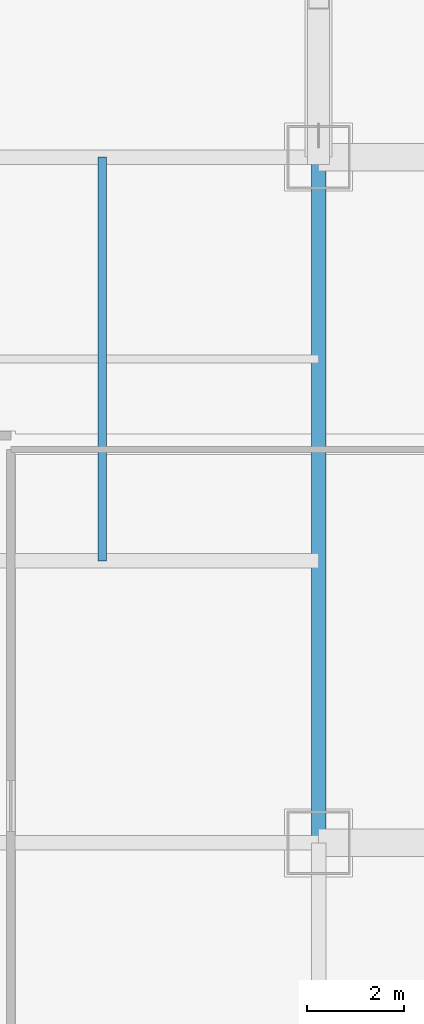
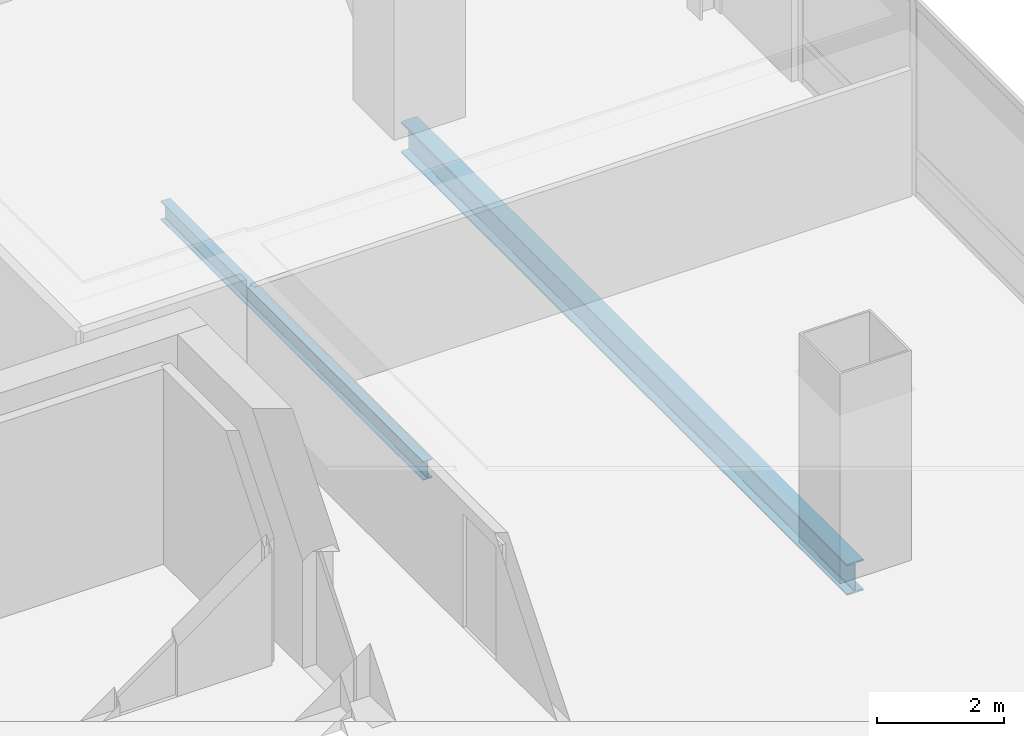
# One storey, part 21 of 51: 2 beams.
"""IFC4 building model written with IfcOpenShell, lengths in metres."""

import ifcopenshell
import ifcopenshell.guid

model = None  # the IFC model being written
_history = None  # IfcOwnerHistory: only IFC2X3 demands one
_inside = {}  # id of a spatial element -> (the spatial element, [elements in it])
_under = {}  # id of a project, library or spatial element -> (it, [spatial elements below it])
_declared = {}  # id of a project -> (the project, [libraries it declares])
_typed = {}  # id of a type object -> (the type object, [elements of that type])
_made_of = {}  # id of a material, layer set ... -> (it, [elements and type objects made of it])


def new_model(schema):
    """Start an empty IFC model of exactly this schema.

    Asked for "IFC4X3", IfcOpenShell would pick the latest addendum, in which some entities
    have other attributes; the version numbers below select the first issue.
    IFC2X3 requires an IfcOwnerHistory on every rooted entity: one is made here for all.
    """
    global model, _history
    if schema == "IFC4X3":
        model = ifcopenshell.file(schema_version=(4, 3, 0, 0))
    else:
        model = ifcopenshell.file(schema=schema)
    _inside.clear()
    _under.clear()
    _declared.clear()
    _typed.clear()
    _made_of.clear()
    _history = None
    if model.schema == "IFC2X3":
        org = make("IfcOrganization", Name="unknown")
        user = make(
            "IfcPersonAndOrganization",
            ThePerson=make("IfcPerson", FamilyName="unknown"),
            TheOrganization=org,
        )
        app = make(
            "IfcApplication",
            ApplicationDeveloper=org,
            Version="unknown",
            ApplicationFullName="unknown",
            ApplicationIdentifier="unknown",
        )
        _history = make(
            "IfcOwnerHistory",
            OwningUser=user,
            OwningApplication=app,
            ChangeAction="ADDED",
            CreationDate=0,
        )
    return model


def make(cls, **values):
    """One entity of the class cls with the attributes given. An attribute that is None is left unset."""
    return model.create_entity(
        cls, **{name: value for name, value in values.items() if value is not None}
    )


def rooted(cls, **values):
    """An entity with a GlobalId (a new one), such as an element, a storey or a relation."""
    return make(cls, GlobalId=ifcopenshell.guid.new(), OwnerHistory=_history, **values)


def si_unit(unit_type, name, prefix=None):
    """IfcSIUnit, for example si_unit("LENGTHUNIT", "METRE", prefix="MILLI")."""
    return make("IfcSIUnit", UnitType=unit_type, Prefix=prefix, Name=name)


def assignment(units):
    """IfcUnitAssignment: the units of a project."""
    return None if units is None else make("IfcUnitAssignment", Units=units)


def point(xyz):
    """IfcCartesianPoint."""
    return None if xyz is None else make("IfcCartesianPoint", Coordinates=xyz)


def direction(xyz):
    """IfcDirection."""
    return None if xyz is None else make("IfcDirection", DirectionRatios=xyz)


def frame(location, z_axis=None, x_axis=None):
    """IfcAxis2Placement3D, a coordinate frame: its origin and axes. An axis left out is left unset."""
    return make(
        "IfcAxis2Placement3D",
        Location=point(location),
        Axis=direction(z_axis),
        RefDirection=direction(x_axis),
    )


def frame_2d(location, x_axis=None):
    """IfcAxis2Placement2D, a coordinate frame in the plane: its origin and x axis."""
    return make(
        "IfcAxis2Placement2D", Location=point(location), RefDirection=direction(x_axis)
    )


def origin():
    """The frame at (0, 0, 0) with its axes left unset."""
    return frame((0.0, 0.0, 0.0))


def origin_2d():
    """The frame at (0, 0) in the plane with its x axis left unset."""
    return frame_2d((0.0, 0.0))


def place(relative_to, where):
    """IfcLocalPlacement: puts the frame where relative to a parent placement (None: the world)."""
    return make(
        "IfcLocalPlacement", PlacementRelTo=relative_to, RelativePlacement=where
    )


def context(
    kind, dimensions, precision=None, world=None, true_north=None, identifier=None
):
    """IfcGeometricRepresentationContext, for example the 3D "Model" context."""
    return make(
        "IfcGeometricRepresentationContext",
        ContextIdentifier=identifier,
        ContextType=kind,
        CoordinateSpaceDimension=dimensions,
        Precision=precision,
        WorldCoordinateSystem=world,
        TrueNorth=true_north,
    )


def subcontext(parent, identifier, kind, view, scale=None):
    """IfcGeometricRepresentationSubContext, for example "Body" below "Model"."""
    return make(
        "IfcGeometricRepresentationSubContext",
        ContextIdentifier=identifier,
        ContextType=kind,
        ParentContext=parent,
        TargetScale=scale,
        TargetView=view,
    )


def project(units=None, contexts=None):
    """IfcProject with its units and contexts."""
    return rooted(
        "IfcProject",
        Name="project",
        RepresentationContexts=contexts,
        UnitsInContext=assignment(units),
    )


def spatial(cls, under=None, at=None, **own):
    """A site, building, storey or space (cls), placed at a placement, below another one or the project."""
    s = rooted(cls, ObjectPlacement=at, **own)
    if under is not None:
        _under.setdefault(under.id(), (under, []))[1].append(s)
    return s


def profile(cls, at=None, kind="AREA", **sizes):
    """A parametric profile (cls). Its sizes go by their IFC names, for example OverallWidth=200.0."""
    return make(cls, ProfileType=kind, Position=at, **sizes)


def i_section(**sizes):
    """IfcIShapeProfileDef."""
    return profile("IfcIShapeProfileDef", **sizes)


def extrude(swept, where, along, depth):
    """IfcExtrudedAreaSolid: the profile swept, set in the frame where, extruded along a direction by depth."""
    return make(
        "IfcExtrudedAreaSolid",
        SweptArea=swept,
        Position=where,
        ExtrudedDirection=direction(along),
        Depth=depth,
    )


def shape(context_of_items, identifier, shape_type, items):
    """IfcShapeRepresentation: the items that make up one representation, for example the "Body"."""
    return make(
        "IfcShapeRepresentation",
        ContextOfItems=context_of_items,
        RepresentationIdentifier=identifier,
        RepresentationType=shape_type,
        Items=items,
    )


def material(Name=None, Category=None):
    """IfcMaterial."""
    return make("IfcMaterial", Name=Name, Category=Category)


def material_profile(
    of_material, cross_section, Name=None, Category=None, Priority=None
):
    """IfcMaterialProfile: a cross section and its material."""
    return make(
        "IfcMaterialProfile",
        Name=Name,
        Material=of_material,
        Profile=cross_section,
        Priority=Priority,
        Category=Category,
    )


def profile_set(profiles, Name=None, composite=None):
    """IfcMaterialProfileSet."""
    return make(
        "IfcMaterialProfileSet",
        Name=Name,
        MaterialProfiles=profiles,
        CompositeProfile=composite,
    )


def made_of(thing, what):
    """Note that an element or type object is made of a material, layer set ...; save() writes the relation."""
    if what is not None:
        _made_of.setdefault(what.id(), (what, []))[1].append(thing)
    return thing


def type_object(cls, material=None, **own):
    """A type object (cls), such as IfcWallType, which elements share."""
    return made_of(rooted(cls, **own), material)


def element(
    cls,
    number,
    at=None,
    inside=None,
    cuts=None,
    type_object=None,
    material=None,
    context=None,
    identifier="Body",
    shape_type=None,
    held_by="IfcProductDefinitionShape",
    body=None,
    shapes=None,
    **own,
):
    """One element of the class cls, such as IfcWall. Its Tag is "e" and its number.

    at: its placement. inside: the storey or other place that contains it. cuts: it is an
    opening in that element (IfcRelVoidsElement). A single representation is given by context,
    identifier, shape_type and body (its items); several are given by shapes. held_by: the class
    of the entity that holds the representations. save() writes the other relations.
    """
    e = rooted(cls, Tag="e%d" % number, ObjectPlacement=at, **own)
    if body is not None:
        shapes = [shape(context, identifier, shape_type, body)]
    if shapes is not None:
        e.Representation = make(held_by, Representations=shapes)
    if inside is not None:
        _inside.setdefault(inside.id(), (inside, []))[1].append(e)
    if cuts is not None:
        rooted(
            "IfcRelVoidsElement", RelatingBuildingElement=cuts, RelatedOpeningElement=e
        )
    if type_object is not None:
        _typed.setdefault(type_object.id(), (type_object, []))[1].append(e)
    return made_of(e, material)


def aggregate(whole, parts):
    """IfcRelAggregates: a whole, such as a stair, and the parts it consists of."""
    return rooted("IfcRelAggregates", RelatingObject=whole, RelatedObjects=parts)


def save(model, path):
    """Write the relations noted so far, then the file.

    IfcRelAggregates (storeys below a building ...), IfcRelContainedInSpatialStructure (elements
    in a storey), IfcRelDefinesByType, IfcRelAssociatesMaterial and IfcRelDeclares: one each for
    every whole, place, type object, material and project.
    """
    for whole, parts in _under.values():
        aggregate(whole, parts)
    for where, things in _inside.values():
        rooted(
            "IfcRelContainedInSpatialStructure",
            RelatedElements=things,
            RelatingStructure=where,
        )
    for kind, things in _typed.values():
        rooted("IfcRelDefinesByType", RelatedObjects=things, RelatingType=kind)
    for what, things in _made_of.values():
        rooted("IfcRelAssociatesMaterial", RelatedObjects=things, RelatingMaterial=what)
    for by, libraries in _declared.values():
        rooted("IfcRelDeclares", RelatingContext=by, RelatedDefinitions=libraries)
    model.write(path)


model = new_model("IFC4")

# Units and contexts
model_context = context("Model", 3, precision=1e-05, world=origin(), true_north=direction((0.0, 1.0)))
body_context = subcontext(model_context, "Body", "Model", "MODEL_VIEW")
ifc_project = project(units=[si_unit("LENGTHUNIT", "METRE"), si_unit("AREAUNIT", "SQUARE_METRE"), si_unit("VOLUMEUNIT", "CUBIC_METRE"), si_unit("PLANEANGLEUNIT", "RADIAN"), si_unit("MASSUNIT", "GRAM", prefix="KILO")], contexts=[model_context])

# Site, building, storey
site_placement = place(None, origin())
site = spatial("IfcSite", under=ifc_project, at=site_placement, CompositionType="ELEMENT")
building_placement = place(site_placement, origin())
building = spatial("IfcBuilding", under=site, at=building_placement, Name="Punatoya Terracotta Tower", CompositionType="ELEMENT")
storey_placement = place(building_placement, frame((0.0, 0.0, 279.75)))
storey = spatial("IfcBuildingStorey", under=building, at=storey_placement, Name="L66", CompositionType="ELEMENT", Elevation=279.75)

# Beams
ifc_material = material(Name="Steel S355", Category="steel")
ifc_material_profile_1 = material_profile(ifc_material, i_section(OverallWidth=0.300048828125, OverallDepth=0.60009765625, WebThickness=0.015380859375, FlangeThickness=0.030029296875, FilletRadius=0.01806640625, at=origin_2d()))
ifc_profile_set_1 = profile_set([ifc_material_profile_1], Name="Steel S355")
beam_type_1 = type_object("IfcBeamType", Name="BM-PRI-600", PredefinedType="BEAM", material=ifc_profile_set_1)
beam_1_placement = place(storey_placement, frame((19.10009765625, 3.39990234375, -0.5), z_axis=(0.0, 1.0, 0.0), x_axis=(-1.0, 0.0, 0.0)))
element("IfcBeam", 1, at=beam_1_placement, inside=storey, type_object=beam_type_1, Name="BM-L66-RG-E3", PredefinedType="BEAM", context=body_context, shape_type="SweptSolid", body=[
    extrude(i_section(OverallWidth=0.300048828125, OverallDepth=0.60009765625, WebThickness=0.015380859375, FlangeThickness=0.030029296875, FilletRadius=0.01806640625, at=origin_2d()), origin(), (0.0, 0.0, 1.0), 14.10009765625),
])
ifc_material_profile_2 = material_profile(ifc_material, i_section(OverallWidth=0.169921875, OverallDepth=0.360107421875, WebThickness=0.008056640625, FlangeThickness=0.0126953125, FilletRadius=0.01806640625, at=origin_2d()))
ifc_profile_set_2 = profile_set([ifc_material_profile_2], Name="Steel S355")
beam_type_2 = type_object("IfcBeamType", Name="BM-SEC-360", PredefinedType="JOIST", material=ifc_profile_set_2)
beam_2_placement = place(storey_placement, frame((14.64990234375, 9.199951171875, -0.3798828125), z_axis=(0.0, 1.0, 0.0), x_axis=(-1.0, 0.0, 0.0)))
element("IfcBeam", 2, at=beam_2_placement, inside=storey, type_object=beam_type_2, Name="BM-L66-SJE-2", PredefinedType="JOIST", context=body_context, shape_type="SweptSolid", body=[
    extrude(i_section(OverallWidth=0.169921875, OverallDepth=0.360107421875, WebThickness=0.008056640625, FlangeThickness=0.0126953125, FilletRadius=0.01806640625, at=origin_2d()), origin(), (0.0, 0.0, 1.0), 8.300048828125),
])

save(model, "model.ifc")
